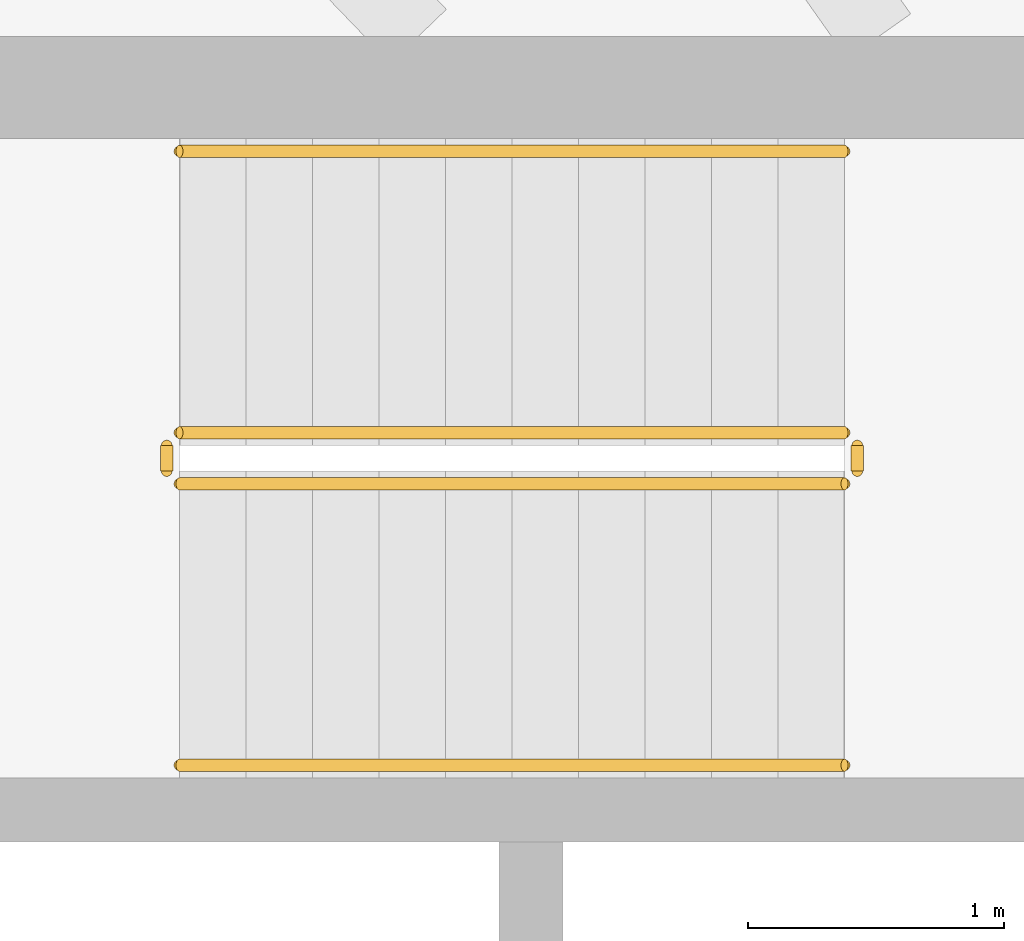
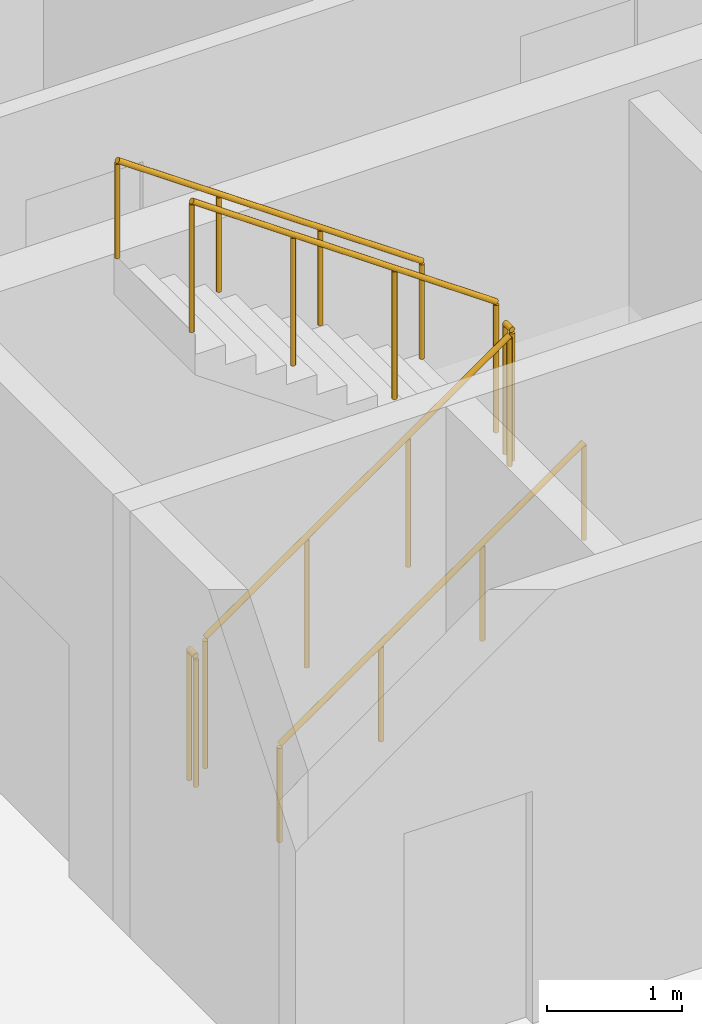
# One storey, part 17 of 20: 6 railings.
"""IFC4 building model written with IfcOpenShell, lengths in metres."""

from ifc_helpers import new_model, si_unit, direction, frame, origin, origin_2d, place, context, subcontext, project, spatial, circle, extrude, material, type_object, element, save


model = new_model("IFC4")

# Units and contexts
model_context = context("Model", 3, precision=1e-05, world=origin(), true_north=direction((0.0, 1.0)))
body_context = subcontext(model_context, "Body", "Model", "MODEL_VIEW")
ifc_project = project(units=[si_unit("LENGTHUNIT", "METRE"), si_unit("AREAUNIT", "SQUARE_METRE"), si_unit("VOLUMEUNIT", "CUBIC_METRE"), si_unit("PLANEANGLEUNIT", "RADIAN"), si_unit("MASSUNIT", "GRAM", prefix="KILO")], contexts=[model_context])

# Site, building, storey
site_placement = place(None, origin())
site = spatial("IfcSite", under=ifc_project, at=site_placement, CompositionType="ELEMENT")
building_placement = place(site_placement, origin())
building = spatial("IfcBuilding", under=site, at=building_placement, Name="Sahrelin Media Tower", CompositionType="ELEMENT")
storey_placement = place(building_placement, frame((0.0, 0.0, 267.0)))
storey = spatial("IfcBuildingStorey", under=building, at=storey_placement, Name="L58", CompositionType="ELEMENT", Elevation=267.0)

# Railings
ifc_material = material(Name="Steel S355", Category="steel")
railing_type_1 = type_object("IfcRailingType", Name="Stair guard 1200", PredefinedType="GUARDRAIL", material=ifc_material)
railing_1_placement = place(storey_placement, frame((-7.675048828125, 5.25, 0.181884765625)))
element("IfcRailing", 1, at=railing_1_placement, inside=storey, type_object=railing_type_1, Name="L58 ST1 stair guard 1", PredefinedType="GUARDRAIL", context=body_context, shape_type="SweptSolid", body=[
    extrude(circle(Radius=0.02392578125, at=origin_2d()), frame((0.0, 0.0, 1.17578125), z_axis=(0.819521025635, 0.0, 0.573049115296), x_axis=(0.0, 1.0, 0.0)), (0.0, 0.0, 1.0), 3.172607421875),
    extrude(circle(Radius=0.02099609375, at=origin_2d()), origin(), (0.0, 0.0, 1.0), 1.15185546875),
    extrude(circle(Radius=0.02099609375, at=origin_2d()), frame((0.86669921875, 0.0, 0.60595703125)), (0.0, 0.0, 1.0), 1.15185546875),
    extrude(circle(Radius=0.02099609375, at=origin_2d()), frame((1.7333984375, 0.0, 1.212158203125)), (0.0, 0.0, 1.0), 1.15185546875),
    extrude(circle(Radius=0.02099609375, at=origin_2d()), frame((2.60009765625, 0.0, 1.818115234375)), (0.0, 0.0, 1.0), 1.15185546875),
])
railing_2_placement = place(storey_placement, frame((-5.02490234375, 5.300048828125, 2.0)))
element("IfcRailing", 2, at=railing_2_placement, inside=storey, type_object=railing_type_1, Name="L58 ST1 stair guard 2", PredefinedType="GUARDRAIL", context=body_context, shape_type="SweptSolid", body=[
    extrude(circle(Radius=0.02392578125, at=origin_2d()), frame((0.0, 0.0, 1.17578125), z_axis=(0.0, 1.0, 0.0), x_axis=(-1.0, 0.0, 0.0)), (0.0, 0.0, 1.0), 0.099853515625),
    extrude(circle(Radius=0.02099609375, at=origin_2d()), origin(), (0.0, 0.0, 1.0), 1.15185546875),
    extrude(circle(Radius=0.02099609375, at=origin_2d()), frame((0.0, 0.099853515625, 0.0)), (0.0, 0.0, 1.0), 1.15185546875),
])
railing_3_placement = place(storey_placement, frame((-5.074951171875, 5.449951171875, 2.181884765625)))
element("IfcRailing", 3, at=railing_3_placement, inside=storey, type_object=railing_type_1, Name="L58 ST1 stair guard 3", PredefinedType="GUARDRAIL", context=body_context, shape_type="SweptSolid", body=[
    extrude(circle(Radius=0.02392578125, at=origin_2d()), frame((0.0, 0.0, 1.17578125), z_axis=(-0.819521025635, 0.0, 0.573049115296), x_axis=(0.0, -1.0, 0.0)), (0.0, 0.0, 1.0), 3.172607421875),
    extrude(circle(Radius=0.02099609375, at=origin_2d()), origin(), (0.0, 0.0, 1.0), 1.15185546875),
    extrude(circle(Radius=0.02099609375, at=origin_2d()), frame((-0.86669921875, 0.0, 0.60595703125)), (0.0, 0.0, 1.0), 1.15185546875),
    extrude(circle(Radius=0.02099609375, at=origin_2d()), frame((-1.7333984375, 0.0, 1.212158203125)), (0.0, 0.0, 1.0), 1.15185546875),
    extrude(circle(Radius=0.02099609375, at=origin_2d()), frame((-2.60009765625, 0.0, 1.818115234375)), (0.0, 0.0, 1.0), 1.15185546875),
])
railing_4_placement = place(storey_placement, frame((-7.72509765625, 5.300048828125, 0.0)))
element("IfcRailing", 4, at=railing_4_placement, inside=storey, type_object=railing_type_1, Name="L58 ST1 stair guard 4", PredefinedType="GUARDRAIL", context=body_context, shape_type="SweptSolid", body=[
    extrude(circle(Radius=0.02392578125, at=origin_2d()), frame((0.0, 0.0, 1.17578125), z_axis=(0.0, 1.0, 0.0), x_axis=(-1.0, 0.0, 0.0)), (0.0, 0.0, 1.0), 0.099853515625),
    extrude(circle(Radius=0.02099609375, at=origin_2d()), origin(), (0.0, 0.0, 1.0), 1.15185546875),
    extrude(circle(Radius=0.02099609375, at=origin_2d()), frame((0.0, 0.099853515625, 0.0)), (0.0, 0.0, 1.0), 1.15185546875),
])
railing_type_2 = type_object("IfcRailingType", Name="Stair handrail 900", PredefinedType="HANDRAIL", material=ifc_material)
railing_5_placement = place(storey_placement, frame((-7.675048828125, 4.14990234375, 0.181884765625)))
element("IfcRailing", 5, at=railing_5_placement, inside=storey, type_object=railing_type_2, Name="L58 ST1 stair handrail 1", PredefinedType="HANDRAIL", context=body_context, shape_type="SweptSolid", body=[
    extrude(circle(Radius=0.02392578125, at=origin_2d()), frame((0.0, 0.0, 0.8759765625), z_axis=(0.819521025635, 0.0, 0.573049115296), x_axis=(0.0, 1.0, 0.0)), (0.0, 0.0, 1.0), 3.172607421875),
    extrude(circle(Radius=0.02099609375, at=origin_2d()), origin(), (0.0, 0.0, 1.0), 0.851806640625),
    extrude(circle(Radius=0.02099609375, at=origin_2d()), frame((0.86669921875, 0.0, 0.60595703125)), (0.0, 0.0, 1.0), 0.851806640625),
    extrude(circle(Radius=0.02099609375, at=origin_2d()), frame((1.7333984375, 0.0, 1.212158203125)), (0.0, 0.0, 1.0), 0.851806640625),
    extrude(circle(Radius=0.02099609375, at=origin_2d()), frame((2.60009765625, 0.0, 1.818115234375)), (0.0, 0.0, 1.0), 0.851806640625),
])
railing_6_placement = place(storey_placement, frame((-5.074951171875, 6.550048828125, 2.181884765625)))
element("IfcRailing", 6, at=railing_6_placement, inside=storey, type_object=railing_type_2, Name="L58 ST1 stair handrail 2", PredefinedType="HANDRAIL", context=body_context, shape_type="SweptSolid", body=[
    extrude(circle(Radius=0.02392578125, at=origin_2d()), frame((0.0, 0.0, 0.8759765625), z_axis=(-0.819521025635, 0.0, 0.573049115296), x_axis=(0.0, -1.0, 0.0)), (0.0, 0.0, 1.0), 3.172607421875),
    extrude(circle(Radius=0.02099609375, at=origin_2d()), origin(), (0.0, 0.0, 1.0), 0.851806640625),
    extrude(circle(Radius=0.02099609375, at=origin_2d()), frame((-0.86669921875, 0.0, 0.60595703125)), (0.0, 0.0, 1.0), 0.851806640625),
    extrude(circle(Radius=0.02099609375, at=origin_2d()), frame((-1.7333984375, 0.0, 1.212158203125)), (0.0, 0.0, 1.0), 0.851806640625),
    extrude(circle(Radius=0.02099609375, at=origin_2d()), frame((-2.60009765625, 0.0, 1.818115234375)), (0.0, 0.0, 1.0), 0.851806640625),
])

save(model, "model.ifc")
